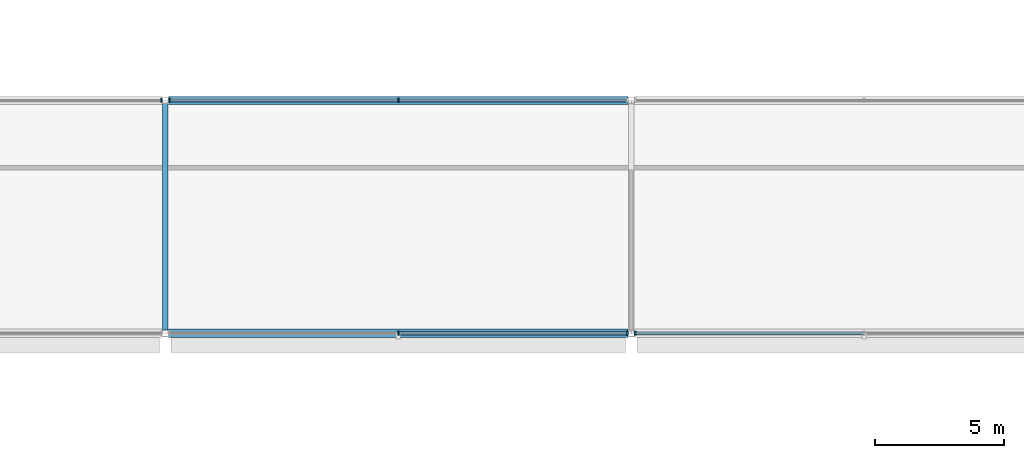
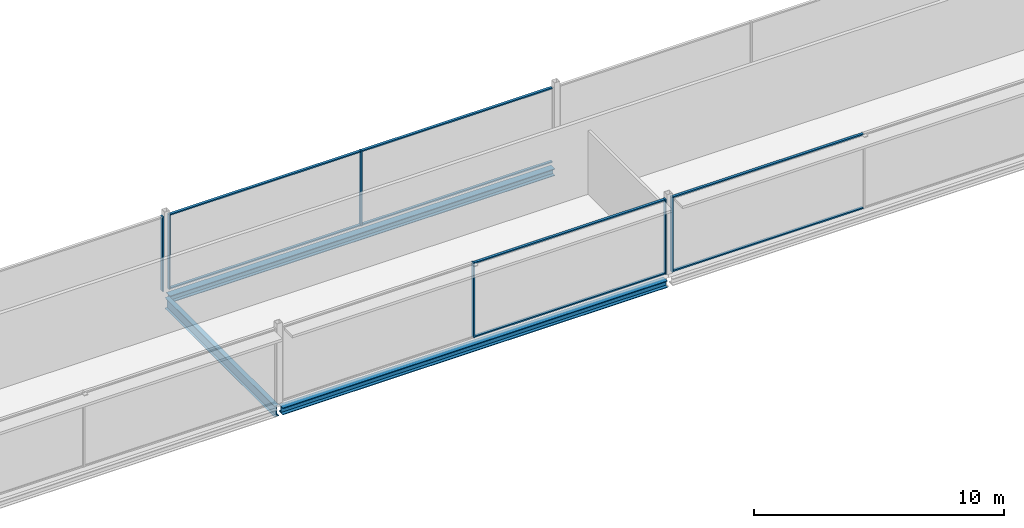
# One storey, part 36 of 96: 14 members, 3 beams, 4 elements without a shape of their own.
"""IFC4 building model written with IfcOpenShell, lengths in metres."""

from ifc_helpers import new_model, si_unit, direction, frame, origin, origin_2d, place, context, subcontext, project, spatial, rectangle, i_section, extrude, material, layer, layer_set, material_profile, profile_set, type_object, element, aggregate, save


model = new_model("IFC4")

# Units and contexts
model_context = context("Model", 3, precision=1e-05, world=origin(), true_north=direction((0.0, 1.0)))
body_context = subcontext(model_context, "Body", "Model", "MODEL_VIEW")
ifc_project = project(units=[si_unit("LENGTHUNIT", "METRE"), si_unit("AREAUNIT", "SQUARE_METRE"), si_unit("VOLUMEUNIT", "CUBIC_METRE"), si_unit("PLANEANGLEUNIT", "RADIAN"), si_unit("MASSUNIT", "GRAM", prefix="KILO")], contexts=[model_context])

# Site, building, storey
site_placement = place(None, origin())
site = spatial("IfcSite", under=ifc_project, at=site_placement, CompositionType="ELEMENT")
building_placement = place(site_placement, origin())
building = spatial("IfcBuilding", under=site, at=building_placement, Name="Kisiwana Market Hall", CompositionType="ELEMENT")
storey_placement = place(building_placement, frame((0.0, 0.0, 25.5)))
storey = spatial("IfcBuildingStorey", under=building, at=storey_placement, Name="L05", CompositionType="ELEMENT", Elevation=25.5)

# Beams
ifc_material_1 = material(Name="Steel S355", Category="steel")
ifc_material_profile_1 = material_profile(ifc_material_1, i_section(OverallWidth=0.209228515625, OverallDepth=0.533203125, WebThickness=0.010009765625, FlangeThickness=0.015625, at=origin_2d()), Name="UB 533x210x92")
ifc_profile_set_1 = profile_set([ifc_material_profile_1], Name="Steel S355")
beam_type_1 = type_object("IfcBeamType", Name="BM-GIRD-UB533", PredefinedType="BEAM", material=ifc_profile_set_1)
beam_placement = place(storey_placement, frame((81.0, 93.12109375, -0.531494140625), z_axis=(0.0, 1.0, 0.0), x_axis=(-1.0, 0.0, 0.0)))
element("IfcBeam", 1, at=beam_placement, inside=storey, type_object=beam_type_1, Name="Primary girder B-1542", PredefinedType="BEAM", context=body_context, shape_type="SweptSolid", body=[
    extrude(i_section(OverallWidth=0.209228515625, OverallDepth=0.533203125, WebThickness=0.010009765625, FlangeThickness=0.015625, at=origin_2d()), origin(), (0.0, 0.0, 1.0), 8.7578125),
])
ifc_material_2 = material(Name="Steel S355", Category="steel")
ifc_material_profile_2 = material_profile(ifc_material_2, i_section(OverallWidth=0.314453125, OverallDepth=0.33984375, WebThickness=0.01904296875, FlangeThickness=0.031494140625, at=origin_2d()), Name="UC 305x305x198")
ifc_profile_set_2 = profile_set([ifc_material_profile_2], Name="Steel S355")
beam_type_2 = type_object("IfcBeamType", Name="BM-SKYBR-CHORD", PredefinedType="BEAM", material=ifc_profile_set_2)
for number, where, z_axis, x_axis, name in (
    (2, (81.12109375, 93.0, -0.43505859375), (1.0, 0.0, 0.0), (0.0, 1.0, 0.0), "Floor beam B-1643"),
    (3, (81.12109375, 102.0, -0.43505859375), (1.0, 0.0, 0.0), (0.0, 1.0, 0.0), "Floor beam B-1653"),
):
    element("IfcBeam", number, at=place(storey_placement, frame(where, z_axis=z_axis, x_axis=x_axis)), inside=storey, type_object=beam_type_2, Name=name, PredefinedType="BEAM", context=body_context, shape_type="SweptSolid", body=[
        extrude(i_section(OverallWidth=0.314453125, OverallDepth=0.33984375, WebThickness=0.01904296875, FlangeThickness=0.031494140625, at=origin_2d()), origin(), (0.0, 0.0, 1.0), 17.7578125),
    ])

# Curtain wall, members
ifc_material_3 = material(Name="Double-glazed solar-control low-E IGU", Category="glass")
ifc_layer = layer(ifc_material_3, 0.159912109375)
ifc_layer_set = layer_set([ifc_layer], Name="CW-ZNA-EW-8200")
curtain_wall_type = type_object("IfcCurtainWallType", Name="CW-ZNA-EW-8200", PredefinedType="USERDEFINED", material=ifc_layer_set)
curtain_wall_1_placement = place(storey_placement, origin())
curtain_wall_1 = element("IfcCurtainWall", 4, at=curtain_wall_1_placement, inside=storey, type_object=curtain_wall_type, Name="Unitised curtain wall CW-146 (L05)", ObjectType="UNITISED CURTAIN WALL", PredefinedType="USERDEFINED")
ifc_material_4 = material(Name="Aluminium alloy 6063-T6", Category="aluminium")
ifc_material_profile_3 = material_profile(ifc_material_4, rectangle(XDim=0.06005859375, YDim=0.159912109375, at=origin_2d()), Name="ALU MULLION 60x160")
ifc_profile_set_3 = profile_set([ifc_material_profile_3], Name="Aluminium alloy 6063-T6")
member_type_1 = type_object("IfcMemberType", Name="CW-MULL-60x160", PredefinedType="MULLION", material=ifc_profile_set_3)
member_1_placement = place(storey_placement, frame((90.0, 93.0, 0.0), z_axis=(0.0, 0.0, 1.0), x_axis=(1.0, 0.0, 0.0)))
member_1 = element("IfcMember", 5, at=member_1_placement, type_object=member_type_1, Name="CW-146 mullion 2", PredefinedType="MULLION", context=body_context, shape_type="SweptSolid", body=[
    extrude(rectangle(XDim=0.06005859375, YDim=0.159912109375, at=origin_2d()), origin(), (0.0, 0.0, 1.0), 3.655029296875),
])
member_2_placement = place(storey_placement, frame((98.844970703125, 93.0, 0.0), z_axis=(0.0, 0.0, 1.0), x_axis=(1.0, 0.0, 0.0)))
member_2 = element("IfcMember", 6, at=member_2_placement, type_object=member_type_1, Name="CW-146 mullion 3", PredefinedType="MULLION", context=body_context, shape_type="SweptSolid", body=[
    extrude(rectangle(XDim=0.06005859375, YDim=0.159912109375, at=origin_2d()), origin(), (0.0, 0.0, 1.0), 3.655029296875),
])

# Curtain wall, member
curtain_wall_2_placement = place(storey_placement, origin())
curtain_wall_2 = element("IfcCurtainWall", 7, at=curtain_wall_2_placement, inside=storey, type_object=curtain_wall_type, Name="Unitised curtain wall CW-147 (L05)", ObjectType="UNITISED CURTAIN WALL", PredefinedType="USERDEFINED")
member_3_placement = place(storey_placement, frame((99.155029296875, 93.0, 0.0), z_axis=(0.0, 0.0, 1.0), x_axis=(1.0, 0.0, 0.0)))
member_3 = element("IfcMember", 8, at=member_3_placement, type_object=member_type_1, Name="CW-147 mullion 1", PredefinedType="MULLION", context=body_context, shape_type="SweptSolid", body=[
    extrude(rectangle(XDim=0.06005859375, YDim=0.159912109375, at=origin_2d()), origin(), (0.0, 0.0, 1.0), 3.655029296875),
])

curtain_wall_3_placement = place(storey_placement, origin())
curtain_wall_3 = element("IfcCurtainWall", 9, at=curtain_wall_3_placement, inside=storey, type_object=curtain_wall_type, Name="Unitised curtain wall CW-151 (L05)", ObjectType="UNITISED CURTAIN WALL", PredefinedType="USERDEFINED")
member_4_placement = place(storey_placement, frame((80.844970703125, 102.0, 0.0), z_axis=(0.0, 0.0, 1.0), x_axis=(1.0, 0.0, 0.0)))
member_4 = element("IfcMember", 10, at=member_4_placement, type_object=member_type_1, Name="CW-151 mullion 3", PredefinedType="MULLION", context=body_context, shape_type="SweptSolid", body=[
    extrude(rectangle(XDim=0.06005859375, YDim=0.159912109375, at=origin_2d()), origin(), (0.0, 0.0, 1.0), 3.655029296875),
])
aggregate(curtain_wall_3, [member_4])

# Curtain wall, members
curtain_wall_4_placement = place(storey_placement, origin())
curtain_wall_4 = element("IfcCurtainWall", 11, at=curtain_wall_4_placement, inside=storey, type_object=curtain_wall_type, Name="Unitised curtain wall CW-152 (L05)", ObjectType="UNITISED CURTAIN WALL", PredefinedType="USERDEFINED")
member_5_placement = place(storey_placement, frame((81.155029296875, 102.0, 0.0), z_axis=(0.0, 0.0, 1.0), x_axis=(1.0, 0.0, 0.0)))
member_5 = element("IfcMember", 12, at=member_5_placement, type_object=member_type_1, Name="CW-152 mullion 1", PredefinedType="MULLION", context=body_context, shape_type="SweptSolid", body=[
    extrude(rectangle(XDim=0.06005859375, YDim=0.159912109375, at=origin_2d()), origin(), (0.0, 0.0, 1.0), 3.655029296875),
])
member_6_placement = place(storey_placement, frame((90.0, 102.0, 0.0), z_axis=(0.0, 0.0, 1.0), x_axis=(1.0, 0.0, 0.0)))
member_6 = element("IfcMember", 13, at=member_6_placement, type_object=member_type_1, Name="CW-152 mullion 2", PredefinedType="MULLION", context=body_context, shape_type="SweptSolid", body=[
    extrude(rectangle(XDim=0.06005859375, YDim=0.159912109375, at=origin_2d()), origin(), (0.0, 0.0, 1.0), 3.655029296875),
])

# Member
ifc_material_5 = material(Name="Aluminium alloy 6063-T6", Category="aluminium")
ifc_material_profile_4 = material_profile(ifc_material_5, rectangle(XDim=0.1201171875, YDim=0.06005859375, at=origin_2d()), Name="ALU TRANSOM 60x120")
ifc_profile_set_4 = profile_set([ifc_material_profile_4], Name="Aluminium alloy 6063-T6")
member_type_2 = type_object("IfcMemberType", Name="CW-TRAN-60x120", PredefinedType="USERDEFINED", material=ifc_profile_set_4)
member_7_placement = place(storey_placement, frame((90.030029296875, 93.0, 0.030029296875), z_axis=(1.0, 0.0, 0.0), x_axis=(0.0, 1.0, 0.0)))
member_7 = element("IfcMember", 14, at=member_7_placement, type_object=member_type_2, Name="CW-146 transom 2.1", ObjectType="TRANSOM", PredefinedType="USERDEFINED", context=body_context, shape_type="SweptSolid", body=[
    extrude(rectangle(XDim=0.1201171875, YDim=0.06005859375, at=origin_2d()), origin(), (0.0, 0.0, 1.0), 8.784912109375),
])

member_8_placement = place(storey_placement, frame((90.030029296875, 93.0, 3.625), z_axis=(1.0, 0.0, 0.0), x_axis=(0.0, 1.0, 0.0)))
member_8 = element("IfcMember", 15, at=member_8_placement, type_object=member_type_2, Name="CW-146 transom 2.2", ObjectType="TRANSOM", PredefinedType="USERDEFINED", context=body_context, shape_type="SweptSolid", body=[
    extrude(rectangle(XDim=0.1201171875, YDim=0.06005859375, at=origin_2d()), origin(), (0.0, 0.0, 1.0), 8.784912109375),
])

aggregate(curtain_wall_1, [member_1, member_2, member_7, member_8])

member_9_placement = place(storey_placement, frame((99.18505859375, 93.0, 0.030029296875), z_axis=(1.0, 0.0, 0.0), x_axis=(0.0, 1.0, 0.0)))
member_9 = element("IfcMember", 16, at=member_9_placement, type_object=member_type_2, Name="CW-147 transom 1.1", ObjectType="TRANSOM", PredefinedType="USERDEFINED", context=body_context, shape_type="SweptSolid", body=[
    extrude(rectangle(XDim=0.1201171875, YDim=0.06005859375, at=origin_2d()), origin(), (0.0, 0.0, 1.0), 8.784912109375),
])

member_10_placement = place(storey_placement, frame((99.18505859375, 93.0, 3.625), z_axis=(1.0, 0.0, 0.0), x_axis=(0.0, 1.0, 0.0)))
member_10 = element("IfcMember", 17, at=member_10_placement, type_object=member_type_2, Name="CW-147 transom 1.2", ObjectType="TRANSOM", PredefinedType="USERDEFINED", context=body_context, shape_type="SweptSolid", body=[
    extrude(rectangle(XDim=0.1201171875, YDim=0.06005859375, at=origin_2d()), origin(), (0.0, 0.0, 1.0), 8.784912109375),
])

aggregate(curtain_wall_2, [member_3, member_9, member_10])

member_11_placement = place(storey_placement, frame((81.18505859375, 102.0, 0.030029296875), z_axis=(1.0, 0.0, 0.0), x_axis=(0.0, 1.0, 0.0)))
member_11 = element("IfcMember", 18, at=member_11_placement, type_object=member_type_2, Name="CW-152 transom 1.1", ObjectType="TRANSOM", PredefinedType="USERDEFINED", context=body_context, shape_type="SweptSolid", body=[
    extrude(rectangle(XDim=0.1201171875, YDim=0.06005859375, at=origin_2d()), origin(), (0.0, 0.0, 1.0), 8.784912109375),
])

member_12_placement = place(storey_placement, frame((81.18505859375, 102.0, 3.625), z_axis=(1.0, 0.0, 0.0), x_axis=(0.0, 1.0, 0.0)))
member_12 = element("IfcMember", 19, at=member_12_placement, type_object=member_type_2, Name="CW-152 transom 1.2", ObjectType="TRANSOM", PredefinedType="USERDEFINED", context=body_context, shape_type="SweptSolid", body=[
    extrude(rectangle(XDim=0.1201171875, YDim=0.06005859375, at=origin_2d()), origin(), (0.0, 0.0, 1.0), 8.784912109375),
])

member_13_placement = place(storey_placement, frame((90.030029296875, 102.0, 0.030029296875), z_axis=(1.0, 0.0, 0.0), x_axis=(0.0, 1.0, 0.0)))
member_13 = element("IfcMember", 20, at=member_13_placement, type_object=member_type_2, Name="CW-152 transom 2.1", ObjectType="TRANSOM", PredefinedType="USERDEFINED", context=body_context, shape_type="SweptSolid", body=[
    extrude(rectangle(XDim=0.1201171875, YDim=0.06005859375, at=origin_2d()), origin(), (0.0, 0.0, 1.0), 8.784912109375),
])

member_14_placement = place(storey_placement, frame((90.030029296875, 102.0, 3.625), z_axis=(1.0, 0.0, 0.0), x_axis=(0.0, 1.0, 0.0)))
member_14 = element("IfcMember", 21, at=member_14_placement, type_object=member_type_2, Name="CW-152 transom 2.2", ObjectType="TRANSOM", PredefinedType="USERDEFINED", context=body_context, shape_type="SweptSolid", body=[
    extrude(rectangle(XDim=0.1201171875, YDim=0.06005859375, at=origin_2d()), origin(), (0.0, 0.0, 1.0), 8.784912109375),
])

aggregate(curtain_wall_4, [member_5, member_6, member_11, member_12, member_13, member_14])

save(model, "model.ifc")
